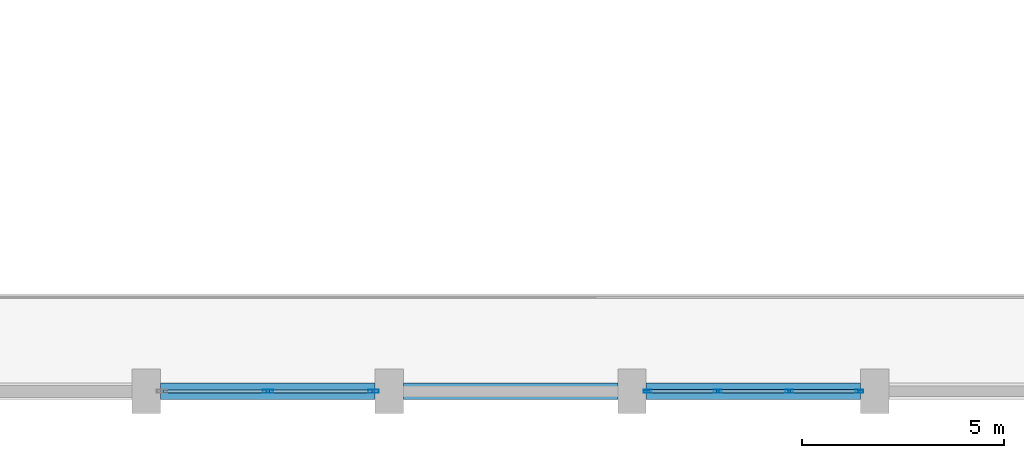
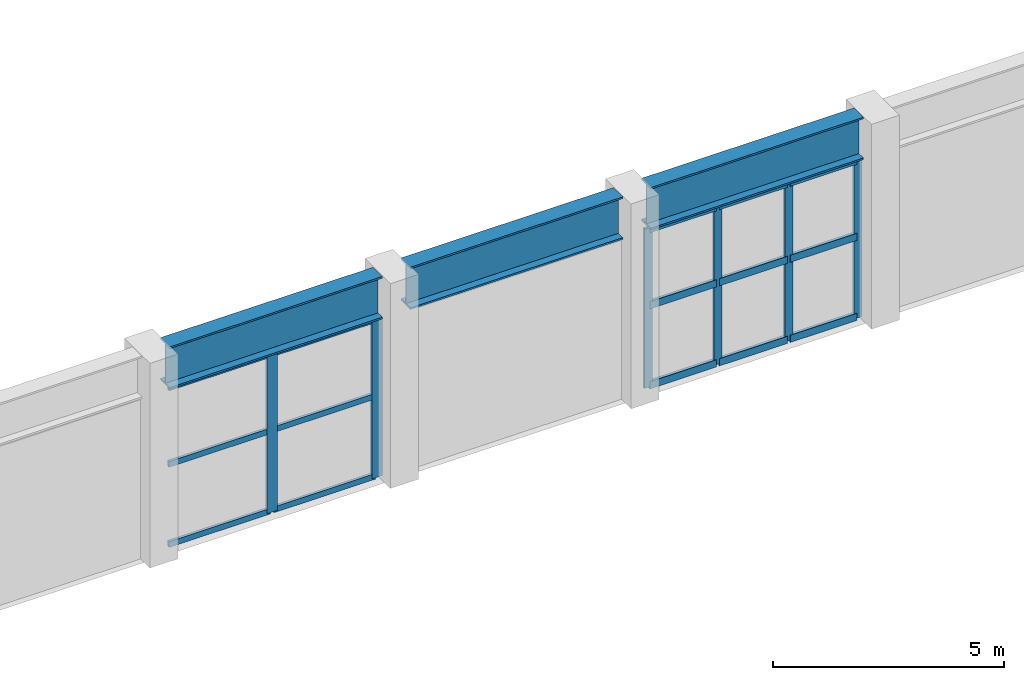
# One storey, part 9 of 41: 21 members, 3 beams, 2 elements without a shape of their own.
"""IFC4 building model written with IfcOpenShell, lengths in metres."""

import ifcopenshell
import ifcopenshell.guid

model = None  # the IFC model being written
_history = None  # IfcOwnerHistory: only IFC2X3 demands one
_inside = {}  # id of a spatial element -> (the spatial element, [elements in it])
_under = {}  # id of a project, library or spatial element -> (it, [spatial elements below it])
_declared = {}  # id of a project -> (the project, [libraries it declares])
_typed = {}  # id of a type object -> (the type object, [elements of that type])
_made_of = {}  # id of a material, layer set ... -> (it, [elements and type objects made of it])


def new_model(schema):
    """Start an empty IFC model of exactly this schema.

    Asked for "IFC4X3", IfcOpenShell would pick the latest addendum, in which some entities
    have other attributes; the version numbers below select the first issue.
    IFC2X3 requires an IfcOwnerHistory on every rooted entity: one is made here for all.
    """
    global model, _history
    if schema == "IFC4X3":
        model = ifcopenshell.file(schema_version=(4, 3, 0, 0))
    else:
        model = ifcopenshell.file(schema=schema)
    _inside.clear()
    _under.clear()
    _declared.clear()
    _typed.clear()
    _made_of.clear()
    _history = None
    if model.schema == "IFC2X3":
        org = make("IfcOrganization", Name="unknown")
        user = make(
            "IfcPersonAndOrganization",
            ThePerson=make("IfcPerson", FamilyName="unknown"),
            TheOrganization=org,
        )
        app = make(
            "IfcApplication",
            ApplicationDeveloper=org,
            Version="unknown",
            ApplicationFullName="unknown",
            ApplicationIdentifier="unknown",
        )
        _history = make(
            "IfcOwnerHistory",
            OwningUser=user,
            OwningApplication=app,
            ChangeAction="ADDED",
            CreationDate=0,
        )
    return model


def make(cls, **values):
    """One entity of the class cls with the attributes given. An attribute that is None is left unset."""
    return model.create_entity(
        cls, **{name: value for name, value in values.items() if value is not None}
    )


def rooted(cls, **values):
    """An entity with a GlobalId (a new one), such as an element, a storey or a relation."""
    return make(cls, GlobalId=ifcopenshell.guid.new(), OwnerHistory=_history, **values)


def si_unit(unit_type, name, prefix=None):
    """IfcSIUnit, for example si_unit("LENGTHUNIT", "METRE", prefix="MILLI")."""
    return make("IfcSIUnit", UnitType=unit_type, Prefix=prefix, Name=name)


def assignment(units):
    """IfcUnitAssignment: the units of a project."""
    return None if units is None else make("IfcUnitAssignment", Units=units)


def point(xyz):
    """IfcCartesianPoint."""
    return None if xyz is None else make("IfcCartesianPoint", Coordinates=xyz)


def direction(xyz):
    """IfcDirection."""
    return None if xyz is None else make("IfcDirection", DirectionRatios=xyz)


def frame(location, z_axis=None, x_axis=None):
    """IfcAxis2Placement3D, a coordinate frame: its origin and axes. An axis left out is left unset."""
    return make(
        "IfcAxis2Placement3D",
        Location=point(location),
        Axis=direction(z_axis),
        RefDirection=direction(x_axis),
    )


def frame_2d(location, x_axis=None):
    """IfcAxis2Placement2D, a coordinate frame in the plane: its origin and x axis."""
    return make(
        "IfcAxis2Placement2D", Location=point(location), RefDirection=direction(x_axis)
    )


def origin():
    """The frame at (0, 0, 0) with its axes left unset."""
    return frame((0.0, 0.0, 0.0))


def origin_2d():
    """The frame at (0, 0) in the plane with its x axis left unset."""
    return frame_2d((0.0, 0.0))


def place(relative_to, where):
    """IfcLocalPlacement: puts the frame where relative to a parent placement (None: the world)."""
    return make(
        "IfcLocalPlacement", PlacementRelTo=relative_to, RelativePlacement=where
    )


def context(
    kind, dimensions, precision=None, world=None, true_north=None, identifier=None
):
    """IfcGeometricRepresentationContext, for example the 3D "Model" context."""
    return make(
        "IfcGeometricRepresentationContext",
        ContextIdentifier=identifier,
        ContextType=kind,
        CoordinateSpaceDimension=dimensions,
        Precision=precision,
        WorldCoordinateSystem=world,
        TrueNorth=true_north,
    )


def subcontext(parent, identifier, kind, view, scale=None):
    """IfcGeometricRepresentationSubContext, for example "Body" below "Model"."""
    return make(
        "IfcGeometricRepresentationSubContext",
        ContextIdentifier=identifier,
        ContextType=kind,
        ParentContext=parent,
        TargetScale=scale,
        TargetView=view,
    )


def project(units=None, contexts=None):
    """IfcProject with its units and contexts."""
    return rooted(
        "IfcProject",
        Name="project",
        RepresentationContexts=contexts,
        UnitsInContext=assignment(units),
    )


def spatial(cls, under=None, at=None, **own):
    """A site, building, storey or space (cls), placed at a placement, below another one or the project."""
    s = rooted(cls, ObjectPlacement=at, **own)
    if under is not None:
        _under.setdefault(under.id(), (under, []))[1].append(s)
    return s


def profile(cls, at=None, kind="AREA", **sizes):
    """A parametric profile (cls). Its sizes go by their IFC names, for example OverallWidth=200.0."""
    return make(cls, ProfileType=kind, Position=at, **sizes)


def hollow_rectangle(**sizes):
    """IfcRectangleHollowProfileDef."""
    return profile("IfcRectangleHollowProfileDef", **sizes)


def i_section(**sizes):
    """IfcIShapeProfileDef."""
    return profile("IfcIShapeProfileDef", **sizes)


def extrude(swept, where, along, depth):
    """IfcExtrudedAreaSolid: the profile swept, set in the frame where, extruded along a direction by depth."""
    return make(
        "IfcExtrudedAreaSolid",
        SweptArea=swept,
        Position=where,
        ExtrudedDirection=direction(along),
        Depth=depth,
    )


def shape(context_of_items, identifier, shape_type, items):
    """IfcShapeRepresentation: the items that make up one representation, for example the "Body"."""
    return make(
        "IfcShapeRepresentation",
        ContextOfItems=context_of_items,
        RepresentationIdentifier=identifier,
        RepresentationType=shape_type,
        Items=items,
    )


def material(Name=None, Category=None):
    """IfcMaterial."""
    return make("IfcMaterial", Name=Name, Category=Category)


def layer(
    of_material, thickness, ventilated=None, Name=None, Category=None, Priority=None
):
    """IfcMaterialLayer: one layer of a wall or slab, of a material (None: an air gap)."""
    return make(
        "IfcMaterialLayer",
        Material=of_material,
        LayerThickness=thickness,
        IsVentilated=ventilated,
        Name=Name,
        Category=Category,
        Priority=Priority,
    )


def layer_set(layers, Name=None):
    """IfcMaterialLayerSet."""
    return make("IfcMaterialLayerSet", MaterialLayers=layers, LayerSetName=Name)


def material_profile(
    of_material, cross_section, Name=None, Category=None, Priority=None
):
    """IfcMaterialProfile: a cross section and its material."""
    return make(
        "IfcMaterialProfile",
        Name=Name,
        Material=of_material,
        Profile=cross_section,
        Priority=Priority,
        Category=Category,
    )


def profile_set(profiles, Name=None, composite=None):
    """IfcMaterialProfileSet."""
    return make(
        "IfcMaterialProfileSet",
        Name=Name,
        MaterialProfiles=profiles,
        CompositeProfile=composite,
    )


def made_of(thing, what):
    """Note that an element or type object is made of a material, layer set ...; save() writes the relation."""
    if what is not None:
        _made_of.setdefault(what.id(), (what, []))[1].append(thing)
    return thing


def type_object(cls, material=None, **own):
    """A type object (cls), such as IfcWallType, which elements share."""
    return made_of(rooted(cls, **own), material)


def element(
    cls,
    number,
    at=None,
    inside=None,
    cuts=None,
    type_object=None,
    material=None,
    context=None,
    identifier="Body",
    shape_type=None,
    held_by="IfcProductDefinitionShape",
    body=None,
    shapes=None,
    **own,
):
    """One element of the class cls, such as IfcWall. Its Tag is "e" and its number.

    at: its placement. inside: the storey or other place that contains it. cuts: it is an
    opening in that element (IfcRelVoidsElement). A single representation is given by context,
    identifier, shape_type and body (its items); several are given by shapes. held_by: the class
    of the entity that holds the representations. save() writes the other relations.
    """
    e = rooted(cls, Tag="e%d" % number, ObjectPlacement=at, **own)
    if body is not None:
        shapes = [shape(context, identifier, shape_type, body)]
    if shapes is not None:
        e.Representation = make(held_by, Representations=shapes)
    if inside is not None:
        _inside.setdefault(inside.id(), (inside, []))[1].append(e)
    if cuts is not None:
        rooted(
            "IfcRelVoidsElement", RelatingBuildingElement=cuts, RelatedOpeningElement=e
        )
    if type_object is not None:
        _typed.setdefault(type_object.id(), (type_object, []))[1].append(e)
    return made_of(e, material)


def aggregate(whole, parts):
    """IfcRelAggregates: a whole, such as a stair, and the parts it consists of."""
    return rooted("IfcRelAggregates", RelatingObject=whole, RelatedObjects=parts)


def save(model, path):
    """Write the relations noted so far, then the file.

    IfcRelAggregates (storeys below a building ...), IfcRelContainedInSpatialStructure (elements
    in a storey), IfcRelDefinesByType, IfcRelAssociatesMaterial and IfcRelDeclares: one each for
    every whole, place, type object, material and project.
    """
    for whole, parts in _under.values():
        aggregate(whole, parts)
    for where, things in _inside.values():
        rooted(
            "IfcRelContainedInSpatialStructure",
            RelatedElements=things,
            RelatingStructure=where,
        )
    for kind, things in _typed.values():
        rooted("IfcRelDefinesByType", RelatedObjects=things, RelatingType=kind)
    for what, things in _made_of.values():
        rooted("IfcRelAssociatesMaterial", RelatedObjects=things, RelatingMaterial=what)
    for by, libraries in _declared.values():
        rooted("IfcRelDeclares", RelatingContext=by, RelatedDefinitions=libraries)
    model.write(path)


model = new_model("IFC4")

# Units and contexts
model_context = context("Model", 3, precision=1e-05, world=origin(), true_north=direction((0.0, 1.0)))
body_context = subcontext(model_context, "Body", "Model", "MODEL_VIEW")
ifc_project = project(units=[si_unit("LENGTHUNIT", "METRE"), si_unit("AREAUNIT", "SQUARE_METRE"), si_unit("VOLUMEUNIT", "CUBIC_METRE"), si_unit("PLANEANGLEUNIT", "RADIAN"), si_unit("MASSUNIT", "GRAM", prefix="KILO")], contexts=[model_context])

# Site, building, storey
site_placement = place(None, origin())
site = spatial("IfcSite", under=ifc_project, at=site_placement, CompositionType="ELEMENT")
building_placement = place(site_placement, origin())
building = spatial("IfcBuilding", under=site, at=building_placement, Name="Vaelkrest Opera House", CompositionType="ELEMENT")
storey_placement = place(building_placement, frame((0.0, 0.0, 24.60009765625)))
storey = spatial("IfcBuildingStorey", under=building, at=storey_placement, Name="L05", CompositionType="ELEMENT", Elevation=24.60009765625)

# Curtain wall, members
ifc_material_1 = material(Name="Dark bronze anodized aluminium", Category="aluminium")
ifc_layer_1 = layer(ifc_material_1, 0.22998046875)
ifc_layer_set_1 = layer_set([ifc_layer_1], Name="Dark bronze anodized aluminium")
curtain_wall_type_1 = type_object("IfcCurtainWallType", Name="CW06", PredefinedType="NOTDEFINED", material=ifc_layer_set_1)
curtain_wall_1_placement = place(storey_placement, origin())
curtain_wall_1 = element("IfcCurtainWall", 1, at=curtain_wall_1_placement, inside=storey, type_object=curtain_wall_type_1, Name="Curtain wall CW-L05-070", PredefinedType="NOTDEFINED")
ifc_material_profile_1 = material_profile(ifc_material_1, hollow_rectangle(XDim=0.070068359375, YDim=0.199951171875, WallThickness=0.004150390625, at=origin_2d()), Name="CWM70X200")
ifc_profile_set_1 = profile_set([ifc_material_profile_1], Name="Dark bronze anodized aluminium")
member_type_1 = type_object("IfcMemberType", Name="CWM02", PredefinedType="MULLION", material=ifc_profile_set_1)
member_1_placement = place(storey_placement, frame((5.616943359375, -55.800048828125, 0.0), z_axis=(0.0, 0.0, 1.0), x_axis=(0.0, -1.0, 0.0)))
member_1 = element("IfcMember", 2, at=member_1_placement, type_object=member_type_1, Name="CW06 mullion 1", PredefinedType="MULLION", context=body_context, shape_type="SweptSolid", body=[
    extrude(hollow_rectangle(XDim=0.070068359375, YDim=0.199951171875, WallThickness=0.004150390625, at=origin_2d()), origin(), (0.0, 0.0, 1.0), 4.197021484375),
])
member_2_placement = place(storey_placement, frame((3.884033203125, -55.800048828125, 0.0), z_axis=(0.0, 0.0, 1.0), x_axis=(0.0, -1.0, 0.0)))
member_2 = element("IfcMember", 3, at=member_2_placement, type_object=member_type_1, Name="CW06 mullion 2", PredefinedType="MULLION", context=body_context, shape_type="SweptSolid", body=[
    extrude(hollow_rectangle(XDim=0.070068359375, YDim=0.199951171875, WallThickness=0.004150390625, at=origin_2d()), origin(), (0.0, 0.0, 1.0), 4.197021484375),
])
member_3_placement = place(storey_placement, frame((2.115966796875, -55.800048828125, 0.0), z_axis=(0.0, 0.0, 1.0), x_axis=(0.0, -1.0, 0.0)))
member_3 = element("IfcMember", 4, at=member_3_placement, type_object=member_type_1, Name="CW06 mullion 3", PredefinedType="MULLION", context=body_context, shape_type="SweptSolid", body=[
    extrude(hollow_rectangle(XDim=0.070068359375, YDim=0.199951171875, WallThickness=0.004150390625, at=origin_2d()), origin(), (0.0, 0.0, 1.0), 4.197021484375),
])
member_4_placement = place(storey_placement, frame((0.383056640625, -55.800048828125, 0.0), z_axis=(0.0, 0.0, 1.0), x_axis=(0.0, -1.0, 0.0)))
member_4 = element("IfcMember", 5, at=member_4_placement, type_object=member_type_1, Name="CW06 mullion 4", PredefinedType="MULLION", context=body_context, shape_type="SweptSolid", body=[
    extrude(hollow_rectangle(XDim=0.070068359375, YDim=0.199951171875, WallThickness=0.004150390625, at=origin_2d()), origin(), (0.0, 0.0, 1.0), 4.197021484375),
])

ifc_layer_2 = layer(ifc_material_1, 0.25)
ifc_layer_set_2 = layer_set([ifc_layer_2], Name="Dark bronze anodized aluminium")
curtain_wall_type_2 = type_object("IfcCurtainWallType", Name="CW08", PredefinedType="NOTDEFINED", material=ifc_layer_set_2)
curtain_wall_2_placement = place(storey_placement, origin())
curtain_wall_2 = element("IfcCurtainWall", 6, at=curtain_wall_2_placement, inside=storey, type_object=curtain_wall_type_2, Name="Curtain wall CW-L05-071", PredefinedType="NOTDEFINED")
ifc_material_profile_2 = material_profile(ifc_material_1, hollow_rectangle(XDim=0.080078125, YDim=0.260009765625, WallThickness=0.0048828125, at=origin_2d()), Name="CWM80X260")
ifc_profile_set_2 = profile_set([ifc_material_profile_2], Name="Dark bronze anodized aluminium")
member_type_2 = type_object("IfcMemberType", Name="CWM04", PredefinedType="MULLION", material=ifc_profile_set_2)
member_5_placement = place(storey_placement, frame((-6.387939453125, -55.800048828125, 0.0), z_axis=(0.0, 0.0, 1.0), x_axis=(0.0, -1.0, 0.0)))
member_5 = element("IfcMember", 7, at=member_5_placement, type_object=member_type_2, Name="CW08 mullion 1", PredefinedType="MULLION", context=body_context, shape_type="SweptSolid", body=[
    extrude(hollow_rectangle(XDim=0.080078125, YDim=0.260009765625, WallThickness=0.0048828125, at=origin_2d()), origin(), (0.0, 0.0, 1.0), 4.197021484375),
])
member_6_placement = place(storey_placement, frame((-9.0, -55.800048828125, 0.0), z_axis=(0.0, 0.0, 1.0), x_axis=(0.0, -1.0, 0.0)))
member_6 = element("IfcMember", 8, at=member_6_placement, type_object=member_type_2, Name="CW08 mullion 2", PredefinedType="MULLION", context=body_context, shape_type="SweptSolid", body=[
    extrude(hollow_rectangle(XDim=0.080078125, YDim=0.260009765625, WallThickness=0.0048828125, at=origin_2d()), origin(), (0.0, 0.0, 1.0), 4.197021484375),
])
ifc_material_profile_3 = material_profile(ifc_material_1, hollow_rectangle(XDim=0.070068359375, YDim=0.14990234375, WallThickness=0.004150390625, at=origin_2d()), Name="CWT70X150")
ifc_profile_set_3 = profile_set([ifc_material_profile_3], Name="Dark bronze anodized aluminium")
member_type_3 = type_object("IfcMemberType", Name="CWT02", PredefinedType="USERDEFINED", material=ifc_profile_set_3)
member_7_placement = place(storey_placement, frame((-6.427978515625, -55.800048828125, 0.034912109375), z_axis=(-1.0, 0.0, 0.0), x_axis=(0.0, -1.0, 0.0)))
member_7 = element("IfcMember", 9, at=member_7_placement, type_object=member_type_3, Name="CW08 transom 1.1", ObjectType="TRANSOM", PredefinedType="USERDEFINED", context=body_context, shape_type="SweptSolid", body=[
    extrude(hollow_rectangle(XDim=0.070068359375, YDim=0.14990234375, WallThickness=0.004150390625, at=origin_2d()), origin(), (0.0, 0.0, 1.0), 2.531982421875),
])
member_8_placement = place(storey_placement, frame((-6.427978515625, -55.800048828125, 2.14990234375), z_axis=(-1.0, 0.0, 0.0), x_axis=(0.0, -1.0, 0.0)))
member_8 = element("IfcMember", 10, at=member_8_placement, type_object=member_type_3, Name="CW08 transom 1.2", ObjectType="TRANSOM", PredefinedType="USERDEFINED", context=body_context, shape_type="SweptSolid", body=[
    extrude(hollow_rectangle(XDim=0.070068359375, YDim=0.14990234375, WallThickness=0.004150390625, at=origin_2d()), origin(), (0.0, 0.0, 1.0), 2.531982421875),
])
member_9_placement = place(storey_placement, frame((-6.427978515625, -55.800048828125, 4.161865234375), z_axis=(-1.0, 0.0, 0.0), x_axis=(0.0, -1.0, 0.0)))
member_9 = element("IfcMember", 11, at=member_9_placement, type_object=member_type_3, Name="CW08 transom 1.3", ObjectType="TRANSOM", PredefinedType="USERDEFINED", context=body_context, shape_type="SweptSolid", body=[
    extrude(hollow_rectangle(XDim=0.070068359375, YDim=0.14990234375, WallThickness=0.004150390625, at=origin_2d()), origin(), (0.0, 0.0, 1.0), 2.531982421875),
])
member_10_placement = place(storey_placement, frame((-9.0400390625, -55.800048828125, 0.034912109375), z_axis=(-1.0, 0.0, 0.0), x_axis=(0.0, -1.0, 0.0)))
member_10 = element("IfcMember", 12, at=member_10_placement, type_object=member_type_3, Name="CW08 transom 2.1", ObjectType="TRANSOM", PredefinedType="USERDEFINED", context=body_context, shape_type="SweptSolid", body=[
    extrude(hollow_rectangle(XDim=0.070068359375, YDim=0.14990234375, WallThickness=0.004150390625, at=origin_2d()), origin(), (0.0, 0.0, 1.0), 2.531982421875),
])
member_11_placement = place(storey_placement, frame((-9.0400390625, -55.800048828125, 2.14990234375), z_axis=(-1.0, 0.0, 0.0), x_axis=(0.0, -1.0, 0.0)))
member_11 = element("IfcMember", 13, at=member_11_placement, type_object=member_type_3, Name="CW08 transom 2.2", ObjectType="TRANSOM", PredefinedType="USERDEFINED", context=body_context, shape_type="SweptSolid", body=[
    extrude(hollow_rectangle(XDim=0.070068359375, YDim=0.14990234375, WallThickness=0.004150390625, at=origin_2d()), origin(), (0.0, 0.0, 1.0), 2.531982421875),
])
member_12_placement = place(storey_placement, frame((-9.0400390625, -55.800048828125, 4.161865234375), z_axis=(-1.0, 0.0, 0.0), x_axis=(0.0, -1.0, 0.0)))
member_12 = element("IfcMember", 14, at=member_12_placement, type_object=member_type_3, Name="CW08 transom 2.3", ObjectType="TRANSOM", PredefinedType="USERDEFINED", context=body_context, shape_type="SweptSolid", body=[
    extrude(hollow_rectangle(XDim=0.070068359375, YDim=0.14990234375, WallThickness=0.004150390625, at=origin_2d()), origin(), (0.0, 0.0, 1.0), 2.531982421875),
])
aggregate(curtain_wall_2, [member_5, member_6, member_7, member_8, member_9, member_10, member_11, member_12])

# Member
ifc_material_profile_4 = material_profile(ifc_material_1, hollow_rectangle(XDim=0.080078125, YDim=0.18994140625, WallThickness=0.0048828125, at=origin_2d()), Name="CWT80X190")
ifc_profile_set_4 = profile_set([ifc_material_profile_4], Name="Dark bronze anodized aluminium")
member_type_4 = type_object("IfcMemberType", Name="CWT04", PredefinedType="USERDEFINED", material=ifc_profile_set_4)
member_13_placement = place(storey_placement, frame((5.58203125, -55.800048828125, 0.039794921875), z_axis=(-1.0, 0.0, 0.0), x_axis=(0.0, -1.0, 0.0)))
member_13 = element("IfcMember", 15, at=member_13_placement, type_object=member_type_4, Name="CW06 transom 1.1", ObjectType="TRANSOM", PredefinedType="USERDEFINED", context=body_context, shape_type="SweptSolid", body=[
    extrude(hollow_rectangle(XDim=0.080078125, YDim=0.18994140625, WallThickness=0.0048828125, at=origin_2d()), origin(), (0.0, 0.0, 1.0), 1.6630859375),
])

member_14_placement = place(storey_placement, frame((5.58203125, -55.800048828125, 2.14990234375), z_axis=(-1.0, 0.0, 0.0), x_axis=(0.0, -1.0, 0.0)))
member_14 = element("IfcMember", 16, at=member_14_placement, type_object=member_type_4, Name="CW06 transom 1.2", ObjectType="TRANSOM", PredefinedType="USERDEFINED", context=body_context, shape_type="SweptSolid", body=[
    extrude(hollow_rectangle(XDim=0.080078125, YDim=0.18994140625, WallThickness=0.0048828125, at=origin_2d()), origin(), (0.0, 0.0, 1.0), 1.6630859375),
])

member_15_placement = place(storey_placement, frame((5.58203125, -55.800048828125, 4.156982421875), z_axis=(-1.0, 0.0, 0.0), x_axis=(0.0, -1.0, 0.0)))
member_15 = element("IfcMember", 17, at=member_15_placement, type_object=member_type_4, Name="CW06 transom 1.3", ObjectType="TRANSOM", PredefinedType="USERDEFINED", context=body_context, shape_type="SweptSolid", body=[
    extrude(hollow_rectangle(XDim=0.080078125, YDim=0.18994140625, WallThickness=0.0048828125, at=origin_2d()), origin(), (0.0, 0.0, 1.0), 1.6630859375),
])

member_16_placement = place(storey_placement, frame((3.84912109375, -55.800048828125, 0.039794921875), z_axis=(-1.0, 0.0, 0.0), x_axis=(0.0, -1.0, 0.0)))
member_16 = element("IfcMember", 18, at=member_16_placement, type_object=member_type_4, Name="CW06 transom 2.1", ObjectType="TRANSOM", PredefinedType="USERDEFINED", context=body_context, shape_type="SweptSolid", body=[
    extrude(hollow_rectangle(XDim=0.080078125, YDim=0.18994140625, WallThickness=0.0048828125, at=origin_2d()), origin(), (0.0, 0.0, 1.0), 1.6982421875),
])

member_17_placement = place(storey_placement, frame((3.84912109375, -55.800048828125, 2.14990234375), z_axis=(-1.0, 0.0, 0.0), x_axis=(0.0, -1.0, 0.0)))
member_17 = element("IfcMember", 19, at=member_17_placement, type_object=member_type_4, Name="CW06 transom 2.2", ObjectType="TRANSOM", PredefinedType="USERDEFINED", context=body_context, shape_type="SweptSolid", body=[
    extrude(hollow_rectangle(XDim=0.080078125, YDim=0.18994140625, WallThickness=0.0048828125, at=origin_2d()), origin(), (0.0, 0.0, 1.0), 1.6982421875),
])

member_18_placement = place(storey_placement, frame((3.84912109375, -55.800048828125, 4.156982421875), z_axis=(-1.0, 0.0, 0.0), x_axis=(0.0, -1.0, 0.0)))
member_18 = element("IfcMember", 20, at=member_18_placement, type_object=member_type_4, Name="CW06 transom 2.3", ObjectType="TRANSOM", PredefinedType="USERDEFINED", context=body_context, shape_type="SweptSolid", body=[
    extrude(hollow_rectangle(XDim=0.080078125, YDim=0.18994140625, WallThickness=0.0048828125, at=origin_2d()), origin(), (0.0, 0.0, 1.0), 1.6982421875),
])

member_19_placement = place(storey_placement, frame((2.0810546875, -55.800048828125, 0.039794921875), z_axis=(-1.0, 0.0, 0.0), x_axis=(0.0, -1.0, 0.0)))
member_19 = element("IfcMember", 21, at=member_19_placement, type_object=member_type_4, Name="CW06 transom 3.1", ObjectType="TRANSOM", PredefinedType="USERDEFINED", context=body_context, shape_type="SweptSolid", body=[
    extrude(hollow_rectangle(XDim=0.080078125, YDim=0.18994140625, WallThickness=0.0048828125, at=origin_2d()), origin(), (0.0, 0.0, 1.0), 1.6630859375),
])

member_20_placement = place(storey_placement, frame((2.0810546875, -55.800048828125, 2.14990234375), z_axis=(-1.0, 0.0, 0.0), x_axis=(0.0, -1.0, 0.0)))
member_20 = element("IfcMember", 22, at=member_20_placement, type_object=member_type_4, Name="CW06 transom 3.2", ObjectType="TRANSOM", PredefinedType="USERDEFINED", context=body_context, shape_type="SweptSolid", body=[
    extrude(hollow_rectangle(XDim=0.080078125, YDim=0.18994140625, WallThickness=0.0048828125, at=origin_2d()), origin(), (0.0, 0.0, 1.0), 1.6630859375),
])

member_21_placement = place(storey_placement, frame((2.0810546875, -55.800048828125, 4.156982421875), z_axis=(-1.0, 0.0, 0.0), x_axis=(0.0, -1.0, 0.0)))
member_21 = element("IfcMember", 23, at=member_21_placement, type_object=member_type_4, Name="CW06 transom 3.3", ObjectType="TRANSOM", PredefinedType="USERDEFINED", context=body_context, shape_type="SweptSolid", body=[
    extrude(hollow_rectangle(XDim=0.080078125, YDim=0.18994140625, WallThickness=0.0048828125, at=origin_2d()), origin(), (0.0, 0.0, 1.0), 1.6630859375),
])

aggregate(curtain_wall_1, [member_1, member_2, member_3, member_4, member_13, member_14, member_15, member_16, member_17, member_18, member_19, member_20, member_21])

# Beams
ifc_material_2 = material(Name="Steel A992 Gr50", Category="steel")
ifc_material_profile_5 = material_profile(ifc_material_2, i_section(OverallWidth=0.405029296875, OverallDepth=1.117919921875, WebThickness=0.02587890625, FlangeThickness=0.044921875, at=origin_2d()), Name="W44X335")
ifc_profile_set_5 = profile_set([ifc_material_profile_5], Name="Steel A992 Gr50")
beam_type = type_object("IfcBeamType", Name="SP05", PredefinedType="SPANDREL", material=ifc_profile_set_5)
for number, where, z_axis, x_axis, name in (
    (24, (-11.64990234375, -55.800048828125, 4.82080078125), (1.0, 0.0, 0.0), (0.0, 1.0, 0.0), "Beam BM-V1-L05-0630"),
    (25, (-5.64990234375, -55.800048828125, 4.82080078125), (1.0, 0.0, 0.0), (0.0, 1.0, 0.0), "Beam BM-V1-L05-0631"),
    (26, (0.35009765625, -55.800048828125, 4.82080078125), (1.0, 0.0, 0.0), (0.0, 1.0, 0.0), "Beam BM-V1-L05-0632"),
):
    element("IfcBeam", number, at=place(storey_placement, frame(where, z_axis=z_axis, x_axis=x_axis)), inside=storey, type_object=beam_type, Name=name, PredefinedType="SPANDREL", context=body_context, shape_type="SweptSolid", body=[
        extrude(i_section(OverallWidth=0.405029296875, OverallDepth=1.117919921875, WebThickness=0.02587890625, FlangeThickness=0.044921875, at=origin_2d()), origin(), (0.0, 0.0, 1.0), 5.2998046875),
    ])

save(model, "model.ifc")
